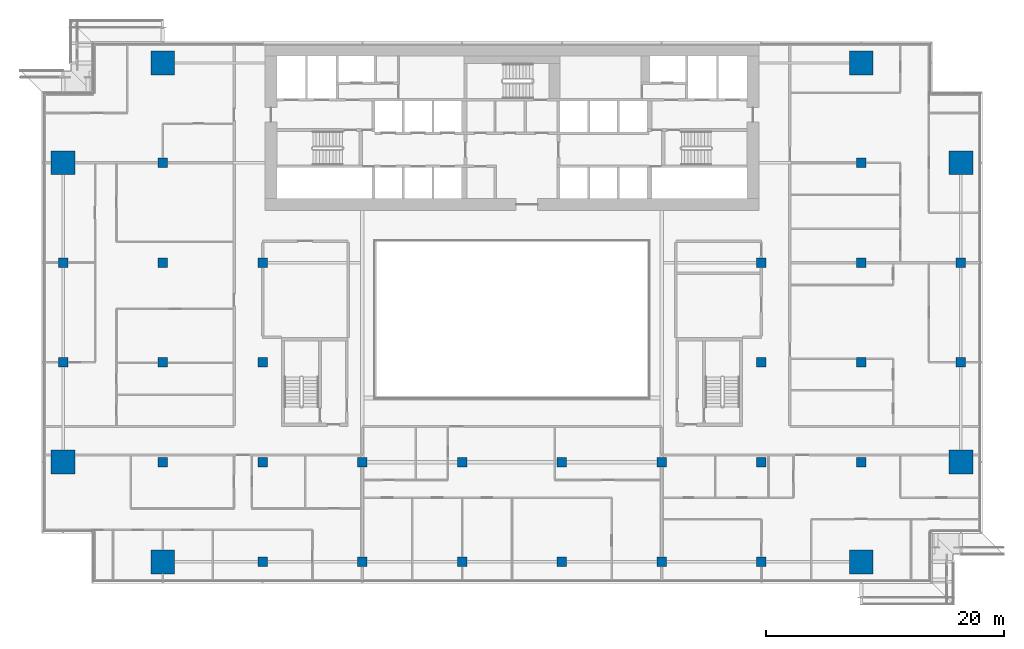
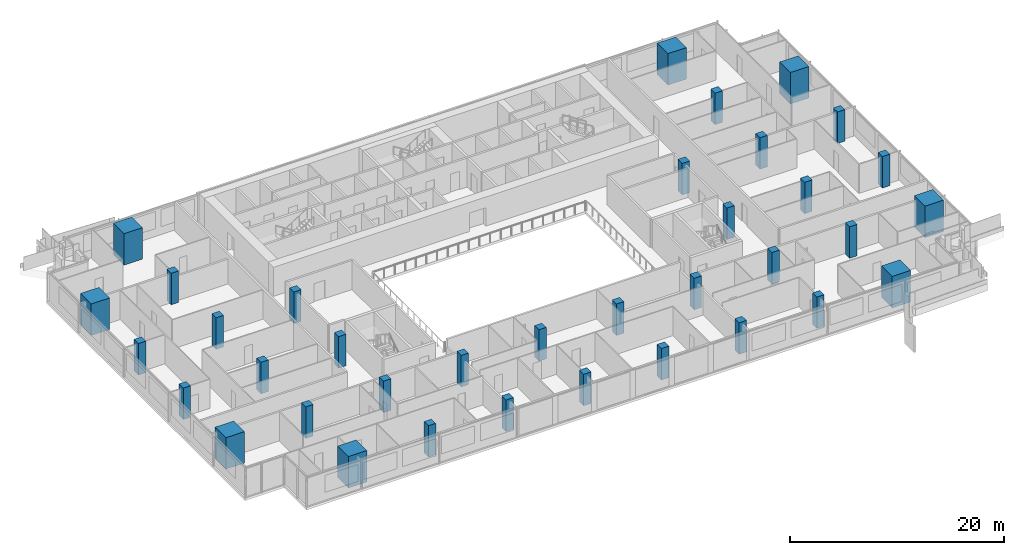
# One storey, part 1 of 30: 36 columns.
"""IFC4 building model written with IfcOpenShell, lengths in metres."""

from ifc_helpers import new_model, si_unit, direction, frame, origin, origin_2d, place, context, subcontext, project, spatial, rectangle, extrude, material, material_profile, profile_set, type_object, element, save


model = new_model("IFC4")

# Units and contexts
model_context = context("Model", 3, precision=1e-05, world=origin(), true_north=direction((0.0, 1.0)))
body_context = subcontext(model_context, "Body", "Model", "MODEL_VIEW")
ifc_project = project(units=[si_unit("LENGTHUNIT", "METRE"), si_unit("AREAUNIT", "SQUARE_METRE"), si_unit("VOLUMEUNIT", "CUBIC_METRE"), si_unit("PLANEANGLEUNIT", "RADIAN"), si_unit("MASSUNIT", "GRAM", prefix="KILO")], contexts=[model_context])

# Site, building, storey
site_placement = place(None, origin())
site = spatial("IfcSite", under=ifc_project, at=site_placement, CompositionType="ELEMENT")
building_placement = place(site_placement, origin())
building = spatial("IfcBuilding", under=site, at=building_placement, Name="Saffron Gate Tower", CompositionType="ELEMENT")
storey_placement = place(building_placement, frame((0.0, 0.0, 127.64990234375)))
storey = spatial("IfcBuildingStorey", under=building, at=storey_placement, Name="L30", CompositionType="ELEMENT", Elevation=127.64990234375)

# Columns
ifc_material_1 = material(Name="Concrete C60", Category="concrete")
ifc_material_profile_1 = material_profile(ifc_material_1, rectangle(XDim=0.800048828125, YDim=0.800048828125, at=origin_2d()))
ifc_profile_set_1 = profile_set([ifc_material_profile_1], Name="Concrete C60")
column_type_1 = type_object("IfcColumnType", Name="C5 RC 800x800 CONCRETE C60", PredefinedType="COLUMN", material=ifc_profile_set_1)
for number, where, z_axis, x_axis, name in (
    (1, (49.800048828125, 48.60009765625, 0.0), (0.0, 0.0, 1.0), (1.0, 0.0, 0.0), "C5 COLUMN X1-C"),
    (2, (49.800048828125, 57.0, 0.0), (0.0, 0.0, 1.0), (1.0, 0.0, 0.0), "C5 COLUMN X1-D"),
    (3, (58.199951171875, 40.199951171875, 0.0), (0.0, 0.0, 1.0), (1.0, 0.0, 0.0), "C5 COLUMN X2-B"),
    (4, (58.199951171875, 48.60009765625, 0.0), (0.0, 0.0, 1.0), (1.0, 0.0, 0.0), "C5 COLUMN X2-C"),
    (5, (58.199951171875, 57.0, 0.0), (0.0, 0.0, 1.0), (1.0, 0.0, 0.0), "C5 COLUMN X2-D"),
    (6, (58.199951171875, 65.39990234375, 0.0), (0.0, 0.0, 1.0), (1.0, 0.0, 0.0), "C5 COLUMN X2-E"),
    (7, (66.60009765625, 31.800048828125, 0.0), (0.0, 0.0, 1.0), (1.0, 0.0, 0.0), "C5 COLUMN X3-A"),
    (8, (66.60009765625, 40.199951171875, 0.0), (0.0, 0.0, 1.0), (1.0, 0.0, 0.0), "C5 COLUMN X3-B"),
    (9, (66.60009765625, 48.60009765625, 0.0), (0.0, 0.0, 1.0), (1.0, 0.0, 0.0), "C5 COLUMN X3-C"),
    (10, (66.60009765625, 57.0, 0.0), (0.0, 0.0, 1.0), (1.0, 0.0, 0.0), "C5 COLUMN X3-D"),
    (11, (75.0, 31.800048828125, 0.0), (0.0, 0.0, 1.0), (1.0, 0.0, 0.0), "C5 COLUMN X4-A"),
    (12, (75.0, 40.199951171875, 0.0), (0.0, 0.0, 1.0), (1.0, 0.0, 0.0), "C5 COLUMN X4-B"),
    (13, (83.39990234375, 31.800048828125, 0.0), (0.0, 0.0, 1.0), (1.0, 0.0, 0.0), "C5 COLUMN X5-A"),
    (14, (83.39990234375, 40.199951171875, 0.0), (0.0, 0.0, 1.0), (1.0, 0.0, 0.0), "C5 COLUMN X5-B"),
    (15, (91.800048828125, 31.800048828125, 0.0), (0.0, 0.0, 1.0), (1.0, 0.0, 0.0), "C5 COLUMN X6-A"),
    (16, (91.800048828125, 40.199951171875, 0.0), (0.0, 0.0, 1.0), (1.0, 0.0, 0.0), "C5 COLUMN X6-B"),
    (17, (100.199951171875, 31.800048828125, 0.0), (0.0, 0.0, 1.0), (1.0, 0.0, 0.0), "C5 COLUMN X7-A"),
    (18, (100.199951171875, 40.199951171875, 0.0), (0.0, 0.0, 1.0), (1.0, 0.0, 0.0), "C5 COLUMN X7-B"),
    (19, (108.60009765625, 31.800048828125, 0.0), (0.0, 0.0, 1.0), (1.0, 0.0, 0.0), "C5 COLUMN X8-A"),
    (20, (108.60009765625, 40.199951171875, 0.0), (0.0, 0.0, 1.0), (1.0, 0.0, 0.0), "C5 COLUMN X8-B"),
    (21, (108.60009765625, 48.60009765625, 0.0), (0.0, 0.0, 1.0), (1.0, 0.0, 0.0), "C5 COLUMN X8-C"),
    (22, (108.60009765625, 57.0, 0.0), (0.0, 0.0, 1.0), (1.0, 0.0, 0.0), "C5 COLUMN X8-D"),
    (23, (117.0, 40.199951171875, 0.0), (0.0, 0.0, 1.0), (1.0, 0.0, 0.0), "C5 COLUMN X9-B"),
    (24, (117.0, 48.60009765625, 0.0), (0.0, 0.0, 1.0), (1.0, 0.0, 0.0), "C5 COLUMN X9-C"),
    (25, (117.0, 57.0, 0.0), (0.0, 0.0, 1.0), (1.0, 0.0, 0.0), "C5 COLUMN X9-D"),
    (26, (117.0, 65.39990234375, 0.0), (0.0, 0.0, 1.0), (1.0, 0.0, 0.0), "C5 COLUMN X9-E"),
    (27, (125.39990234375, 48.60009765625, 0.0), (0.0, 0.0, 1.0), (1.0, 0.0, 0.0), "C5 COLUMN X10-C"),
    (28, (125.39990234375, 57.0, 0.0), (0.0, 0.0, 1.0), (1.0, 0.0, 0.0), "C5 COLUMN X10-D"),
):
    element("IfcColumn", number, at=place(storey_placement, frame(where, z_axis=z_axis, x_axis=x_axis)), inside=storey, type_object=column_type_1, Name=name, PredefinedType="COLUMN", context=body_context, shape_type="SweptSolid", body=[
        extrude(rectangle(XDim=0.800048828125, YDim=0.800048828125, at=origin_2d()), origin(), (0.0, 0.0, 1.0), 3.60009765625),
    ])
ifc_material_2 = material(Name="Concrete C80", Category="concrete")
ifc_material_profile_2 = material_profile(ifc_material_2, rectangle(XDim=2.0, YDim=2.0, at=origin_2d()))
ifc_profile_set_2 = profile_set([ifc_material_profile_2], Name="Concrete C80")
column_type_2 = type_object("IfcColumnType", Name="MC3 RC 2000x2000 CONCRETE C80", PredefinedType="COLUMN", material=ifc_profile_set_2)
for number, where, z_axis, x_axis, name in (
    (29, (49.800048828125, 40.199951171875, 0.0), (0.0, 0.0, 1.0), (1.0, 0.0, 0.0), "MC3 MEGA COLUMN X1-B"),
    (30, (49.800048828125, 65.39990234375, 0.0), (0.0, 0.0, 1.0), (1.0, 0.0, 0.0), "MC3 MEGA COLUMN X1-E"),
    (31, (58.199951171875, 31.800048828125, 0.0), (0.0, 0.0, 1.0), (1.0, 0.0, 0.0), "MC3 MEGA COLUMN X2-A"),
    (32, (58.199951171875, 73.800048828125, 0.0), (0.0, 0.0, 1.0), (1.0, 0.0, 0.0), "MC3 MEGA COLUMN X2-F"),
    (33, (117.0, 31.800048828125, 0.0), (0.0, 0.0, 1.0), (1.0, 0.0, 0.0), "MC3 MEGA COLUMN X9-A"),
    (34, (117.0, 73.800048828125, 0.0), (0.0, 0.0, 1.0), (1.0, 0.0, 0.0), "MC3 MEGA COLUMN X9-F"),
    (35, (125.39990234375, 40.199951171875, 0.0), (0.0, 0.0, 1.0), (1.0, 0.0, 0.0), "MC3 MEGA COLUMN X10-B"),
    (36, (125.39990234375, 65.39990234375, 0.0), (0.0, 0.0, 1.0), (1.0, 0.0, 0.0), "MC3 MEGA COLUMN X10-E"),
):
    element("IfcColumn", number, at=place(storey_placement, frame(where, z_axis=z_axis, x_axis=x_axis)), inside=storey, type_object=column_type_2, Name=name, PredefinedType="COLUMN", context=body_context, shape_type="SweptSolid", body=[
        extrude(rectangle(XDim=2.0, YDim=2.0, at=origin_2d()), origin(), (0.0, 0.0, 1.0), 3.60009765625),
    ])

save(model, "model.ifc")
